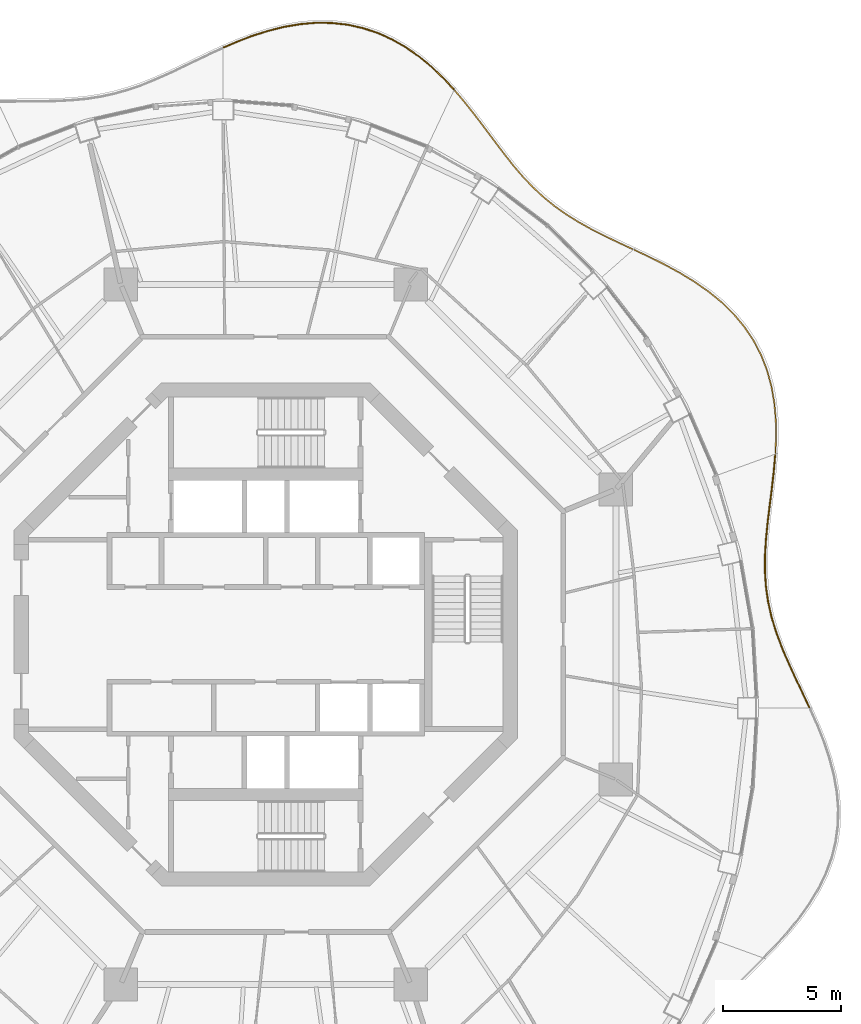
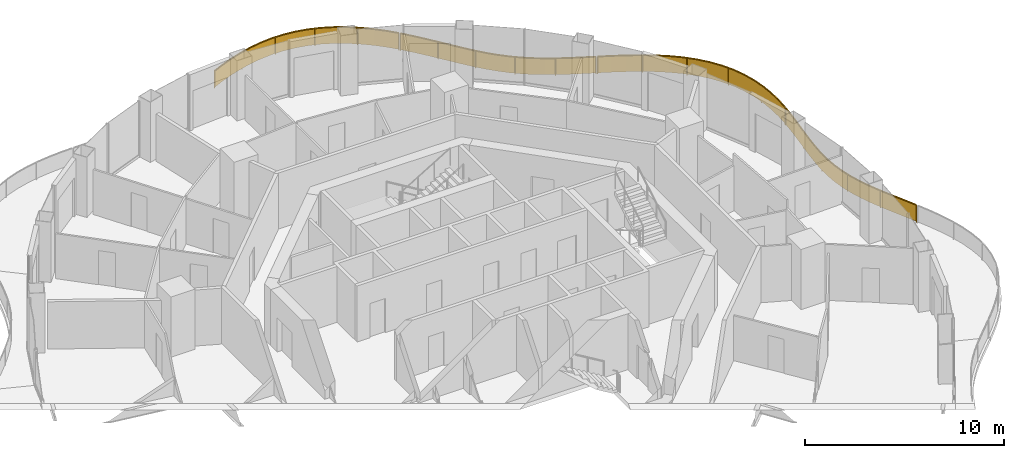
# One storey, part 17 of 17: 4 railings.
"""IFC4 building model written with IfcOpenShell, lengths in metres."""

from ifc_helpers import new_model, si_unit, direction, frame, origin, origin_2d, place, context, subcontext, project, spatial, polyline, rectangle, outline, extrude, material, type_object, element, save


model = new_model("IFC4")

# Units and contexts
model_context = context("Model", 3, precision=1e-05, world=origin(), true_north=direction((0.0, 1.0)))
body_context = subcontext(model_context, "Body", "Model", "MODEL_VIEW")
ifc_project = project(units=[si_unit("LENGTHUNIT", "METRE"), si_unit("AREAUNIT", "SQUARE_METRE"), si_unit("VOLUMEUNIT", "CUBIC_METRE"), si_unit("PLANEANGLEUNIT", "RADIAN"), si_unit("MASSUNIT", "GRAM", prefix="KILO")], contexts=[model_context])

# Site, building, storey
site_placement = place(None, origin())
site = spatial("IfcSite", under=ifc_project, at=site_placement, CompositionType="ELEMENT")
building_placement = place(site_placement, origin())
building = spatial("IfcBuilding", under=site, at=building_placement, Name="Nagisa Residences", CompositionType="ELEMENT")
storey_placement = place(building_placement, frame((0.0, 0.0, 269.60009765625)))
storey = spatial("IfcBuildingStorey", under=building, at=storey_placement, Name="L68", CompositionType="ELEMENT", Elevation=269.60009765625)

# Railings
ifc_material = material(Name="Stainless steel 316", Category="steel")
railing_type = type_object("IfcRailingType", Name="BALCONY GUARD 1100", PredefinedType="BALUSTRADE", material=ifc_material)
railing_1_placement = place(storey_placement, frame((22.95458984375, -3.08349609375, 0.0)))
element("IfcRailing", 1, at=railing_1_placement, inside=storey, type_object=railing_type, Name="guard:L68:bal00-0", PredefinedType="BALUSTRADE", context=body_context, shape_type="SweptSolid", body=[
    extrude(outline(polyline([(-0.31982421875, 0.618408203125), (-0.022705078125, -0.0107421875), (0.022705078125, 0.0107421875), (-0.2744140625, 0.639892578125), (-0.586181640625, 1.297119140625), (-0.882568359375, 1.94287109375), (-1.152099609375, 2.579833984375), (-1.38525390625, 3.2109375), (-1.5732421875, 3.826416015625), (-1.714599609375, 4.458251953125), (-1.806396484375, 5.0966796875), (-1.849609375, 5.745361328125), (-1.848876953125, 6.408203125), (-1.806640625, 7.073486328125), (-1.73876953125, 7.76953125), (-1.653076171875, 8.482666015625), (-1.5615234375, 9.21142578125), (-1.477294921875, 9.95263671875), (-1.415283203125, 10.656494140625), (-1.465087890625, 10.660888671875), (-1.527099609375, 9.95751953125), (-1.611328125, 9.21728515625), (-1.702880859375, 8.489013671875), (-1.78857421875, 7.77490234375), (-1.8564453125, 7.077392578125), (-1.898681640625, 6.40966796875), (-1.89990234375, 5.743896484375), (-1.856201171875, 5.09130859375), (-1.763916015625, 4.448974609375), (-1.62158203125, 3.813720703125), (-1.4326171875, 3.19482421875), (-1.198486328125, 2.561279296875), (-0.928466796875, 1.9228515625), (-0.631591796875, 1.276123046875), (-0.31982421875, 0.618408203125)])), frame((0.0, 0.0, 1.050048828125)), (0.0, 0.0, 1.0), 0.050048828125),
    extrude(outline(polyline([(-0.303466796875, 0.626220703125), (-0.00634765625, -0.0029296875), (0.00634765625, 0.0029296875), (-0.290771484375, 0.632080078125), (-0.6025390625, 1.28955078125), (-0.899169921875, 1.935791015625), (-1.168701171875, 2.5732421875), (-1.40234375, 3.205078125), (-1.590576171875, 3.82177734375), (-1.732421875, 4.454833984375), (-1.82421875, 5.0947265625), (-1.86767578125, 5.744873046875), (-1.86669921875, 6.40869140625), (-1.824462890625, 7.074951171875), (-1.756591796875, 7.771484375), (-1.671142578125, 8.485107421875), (-1.57958984375, 9.213623046875), (-1.4951171875, 9.954345703125), (-1.43310546875, 10.657958984375), (-1.447265625, 10.659423828125), (-1.50927734375, 9.955810546875), (-1.59326171875, 9.215087890625), (-1.684814453125, 8.486572265625), (-1.770751953125, 7.77294921875), (-1.838623046875, 7.075927734375), (-1.880859375, 6.4091796875), (-1.8818359375, 5.744384765625), (-1.83837890625, 5.09326171875), (-1.74609375, 4.452392578125), (-1.604248046875, 3.818359375), (-1.41552734375, 3.20068359375), (-1.181884765625, 2.56787109375), (-0.911865234375, 1.929931640625), (-0.615234375, 1.28369140625), (-0.303466796875, 0.626220703125)])), frame((0.0, 0.0, 0.06005859375)), (0.0, 0.0, 1.0), 0.989990234375),
    extrude(rectangle(XDim=0.0400390625, YDim=0.0400390625, at=origin_2d()), origin(), (0.0, 0.0, 1.0), 1.050048828125),
    extrude(rectangle(XDim=0.0400390625, YDim=0.0400390625, at=origin_2d()), frame((-0.93359375, 1.9990234375, 0.0)), (0.0, 0.0, 1.0), 1.050048828125),
    extrude(rectangle(XDim=0.0400390625, YDim=0.0400390625, at=origin_2d()), frame((-1.655517578125, 4.080078125, 0.0)), (0.0, 0.0, 1.0), 1.050048828125),
    extrude(rectangle(XDim=0.0400390625, YDim=0.0400390625, at=origin_2d()), frame((-1.8740234375, 6.26904296875, 0.0)), (0.0, 0.0, 1.0), 1.050048828125),
    extrude(rectangle(XDim=0.0400390625, YDim=0.0400390625, at=origin_2d()), frame((-1.680419921875, 8.4658203125, 0.0)), (0.0, 0.0, 1.0), 1.050048828125),
    extrude(rectangle(XDim=0.0400390625, YDim=0.0400390625, at=origin_2d()), frame((-1.440185546875, 10.65869140625, 0.0)), (0.0, 0.0, 1.0), 1.050048828125),
])
railing_2_placement = place(storey_placement, frame((21.520751953125, 7.652099609375, 0.0)))
element("IfcRailing", 2, at=railing_2_placement, inside=storey, type_object=railing_type, Name="guard:L68:bal01-0", PredefinedType="BALUSTRADE", context=body_context, shape_type="SweptSolid", body=[
    extrude(outline(polyline([(0.005126953125, 0.683349609375), (-0.02490234375, 0.001220703125), (0.02490234375, -0.001220703125), (0.055419921875, 0.682861328125), (0.043212890625, 1.409423828125), (-0.02001953125, 2.12744140625), (-0.142578125, 2.830078125), (-0.330078125, 3.510986328125), (-0.578369140625, 4.15087890625), (-0.902099609375, 4.77099609375), (-1.292724609375, 5.353759765625), (-1.746337890625, 5.89599609375), (-2.256591796875, 6.396240234375), (-2.807861328125, 6.84326171875), (-3.406005859375, 7.260986328125), (-4.033935546875, 7.643310546875), (-4.680908203125, 7.994384765625), (-5.335693359375, 8.32080078125), (-5.949462890625, 8.6083984375), (-5.970458984375, 8.56298828125), (-5.357666015625, 8.27587890625), (-4.703857421875, 7.949951171875), (-4.058837890625, 7.599853515625), (-3.433349609375, 7.218994140625), (-2.838134765625, 6.80322265625), (-2.289794921875, 6.358642578125), (-1.782958984375, 5.86181640625), (-1.332763671875, 5.323486328125), (-0.945068359375, 4.74560546875), (-0.623779296875, 4.13037109375), (-0.37744140625, 3.495361328125), (-0.19140625, 2.8193359375), (-0.06982421875, 2.12109375), (-0.006591796875, 1.406982421875), (0.005126953125, 0.683349609375)])), frame((0.0, 0.0, 1.050048828125)), (0.0, 0.0, 1.0), 0.050048828125),
    extrude(outline(polyline([(0.023193359375, 0.68310546875), (-0.007080078125, 0.000244140625), (0.007080078125, -0.000244140625), (0.037353515625, 0.68310546875), (0.025390625, 1.408447265625), (-0.0380859375, 2.125244140625), (-0.16015625, 2.826171875), (-0.34716796875, 3.50537109375), (-0.5947265625, 4.1435546875), (-0.91748046875, 4.761962890625), (-1.30712890625, 5.3427734375), (-1.759521484375, 5.883544921875), (-2.2685546875, 6.382568359375), (-2.81884765625, 6.828857421875), (-3.415771484375, 7.245849609375), (-4.04296875, 7.627685546875), (-4.689208984375, 7.978271484375), (-5.34375, 8.3046875), (-5.95703125, 8.592041015625), (-5.962890625, 8.579345703125), (-5.349609375, 8.2919921875), (-4.695556640625, 7.966064453125), (-4.0498046875, 7.615478515625), (-3.423583984375, 7.234130859375), (-2.8271484375, 6.817626953125), (-2.27783203125, 6.372314453125), (-1.769775390625, 5.874267578125), (-1.318359375, 5.33447265625), (-0.9296875, 4.754638671875), (-0.607421875, 4.1376953125), (-0.3603515625, 3.5009765625), (-0.173828125, 2.8232421875), (-0.0517578125, 2.123291015625), (0.01123046875, 1.407958984375), (0.023193359375, 0.68310546875)])), frame((0.0, 0.0, 0.06005859375)), (0.0, 0.0, 1.0), 0.989990234375),
    extrude(rectangle(XDim=0.0400390625, YDim=0.0400390625, at=origin_2d()), origin(), (0.0, 0.0, 1.0), 1.050048828125),
    extrude(rectangle(XDim=0.0400390625, YDim=0.0400390625, at=origin_2d()), frame((-0.0693359375, 2.2646484375, 0.0)), (0.0, 0.0, 1.0), 1.050048828125),
    extrude(rectangle(XDim=0.0400390625, YDim=0.0400390625, at=origin_2d()), frame((-0.74658203125, 4.419189453125, 0.0)), (0.0, 0.0, 1.0), 1.050048828125),
    extrude(rectangle(XDim=0.0400390625, YDim=0.0400390625, at=origin_2d()), frame((-2.110595703125, 6.218017578125, 0.0)), (0.0, 0.0, 1.0), 1.050048828125),
    extrude(rectangle(XDim=0.0400390625, YDim=0.0400390625, at=origin_2d()), frame((-3.93798828125, 7.5556640625, 0.0)), (0.0, 0.0, 1.0), 1.050048828125),
    extrude(rectangle(XDim=0.0400390625, YDim=0.0400390625, at=origin_2d()), frame((-5.9599609375, 8.585693359375, 0.0)), (0.0, 0.0, 1.0), 1.050048828125),
])
railing_3_placement = place(storey_placement, frame((15.491455078125, 16.268310546875, 0.0)))
element("IfcRailing", 3, at=railing_3_placement, inside=storey, type_object=railing_type, Name="guard:L68:bal02-0", PredefinedType="BALUSTRADE", context=body_context, shape_type="SweptSolid", body=[
    extrude(outline(polyline([(-0.5830078125, 0.242431640625), (-0.010498046875, -0.022705078125), (0.010498046875, 0.022705078125), (-0.5615234375, 0.287841796875), (-1.1572265625, 0.57275390625), (-1.730712890625, 0.8642578125), (-2.2783203125, 1.16943359375), (-2.79833984375, 1.494384765625), (-3.278076171875, 1.833984375), (-3.743408203125, 2.212890625), (-4.18505859375, 2.6240234375), (-4.607421875, 3.067138671875), (-5.015869140625, 3.54150390625), (-5.40283203125, 4.035400390625), (-5.802734375, 4.561767578125), (-6.20849609375, 5.10498046875), (-6.626708984375, 5.6572265625), (-7.063232421875, 6.208984375), (-7.490966796875, 6.71630859375), (-7.529052734375, 6.68408203125), (-7.101806640625, 6.17724609375), (-6.666259765625, 5.62646484375), (-6.24853515625, 5.07470703125), (-5.8427734375, 4.531494140625), (-5.4423828125, 4.004638671875), (-5.054443359375, 3.509765625), (-4.64453125, 3.033447265625), (-4.22021484375, 2.58837890625), (-3.776123046875, 2.17529296875), (-3.308349609375, 1.7939453125), (-2.826171875, 1.452880859375), (-2.3037109375, 1.12646484375), (-1.754150390625, 0.8203125), (-1.17919921875, 0.52783203125), (-0.5830078125, 0.242431640625)])), frame((0.0, 0.0, 1.050048828125)), (0.0, 0.0, 1.0), 0.050048828125),
    extrude(outline(polyline([(-0.5751953125, 0.2587890625), (-0.0029296875, -0.00634765625), (0.0029296875, 0.00634765625), (-0.5693359375, 0.271484375), (-1.1650390625, 0.556640625), (-1.7392578125, 0.848388671875), (-2.287353515625, 1.154052734375), (-2.808349609375, 1.4794921875), (-3.2890625, 1.819580078125), (-3.755126953125, 2.199462890625), (-4.19775390625, 2.611083984375), (-4.620849609375, 3.054931640625), (-5.02978515625, 3.530029296875), (-5.4169921875, 4.0244140625), (-5.817138671875, 4.55078125), (-6.222900390625, 5.093994140625), (-6.640869140625, 5.646240234375), (-7.0771484375, 6.197509765625), (-7.504638671875, 6.70458984375), (-7.515380859375, 6.69580078125), (-7.087890625, 6.188720703125), (-6.652099609375, 5.637451171875), (-6.234130859375, 5.085693359375), (-5.828369140625, 4.54248046875), (-5.42822265625, 4.015625), (-5.04052734375, 3.521240234375), (-4.631103515625, 3.045654296875), (-4.20751953125, 2.601318359375), (-3.764404296875, 2.188720703125), (-3.29736328125, 1.808349609375), (-2.816162109375, 1.4677734375), (-2.294677734375, 1.141845703125), (-1.74560546875, 0.836181640625), (-1.17138671875, 0.5439453125), (-0.5751953125, 0.2587890625)])), frame((0.0, 0.0, 0.06005859375)), (0.0, 0.0, 1.0), 0.989990234375),
    extrude(rectangle(XDim=0.0400390625, YDim=0.0400390625, at=origin_2d()), origin(), (0.0, 0.0, 1.0), 1.050048828125),
    extrude(rectangle(XDim=0.0400390625, YDim=0.0400390625, at=origin_2d()), frame((-1.8408203125, 0.897216796875, 0.0)), (0.0, 0.0, 1.0), 1.050048828125),
    extrude(rectangle(XDim=0.0400390625, YDim=0.0400390625, at=origin_2d()), frame((-3.54833984375, 2.021728515625, 0.0)), (0.0, 0.0, 1.0), 1.050048828125),
    extrude(rectangle(XDim=0.0400390625, YDim=0.0400390625, at=origin_2d()), frame((-4.9892578125, 3.472412109375, 0.0)), (0.0, 0.0, 1.0), 1.050048828125),
    extrude(rectangle(XDim=0.0400390625, YDim=0.0400390625, at=origin_2d()), frame((-6.23486328125, 5.09814453125, 0.0)), (0.0, 0.0, 1.0), 1.050048828125),
    extrude(rectangle(XDim=0.0400390625, YDim=0.0400390625, at=origin_2d()), frame((-7.510009765625, 6.7001953125, 0.0)), (0.0, 0.0, 1.0), 1.050048828125),
])
railing_4_placement = place(storey_placement, frame((7.93115234375, 23.02685546875, 0.0)))
element("IfcRailing", 4, at=railing_4_placement, inside=storey, type_object=railing_type, Name="guard:L68:bal03-0", PredefinedType="BALUSTRADE", context=body_context, shape_type="SweptSolid", body=[
    extrude(outline(polyline([(-0.45263671875, 0.45166015625), (-0.018310546875, -0.01708984375), (0.018310546875, 0.01708984375), (-0.4169921875, 0.48681640625), (-0.9150390625, 0.960205078125), (-1.4423828125, 1.3955078125), (-1.99951171875, 1.7841796875), (-2.583984375, 2.118408203125), (-3.1796875, 2.388671875), (-3.813720703125, 2.598876953125), (-4.466064453125, 2.741943359375), (-5.13232421875, 2.817138671875), (-5.806884765625, 2.825927734375), (-6.468994140625, 2.7685546875), (-7.142822265625, 2.655029296875), (-7.8125, 2.490234375), (-8.47216796875, 2.281494140625), (-9.118408203125, 2.038330078125), (-9.7060546875, 1.78564453125), (-9.6865234375, 1.73974609375), (-9.099853515625, 1.991943359375), (-8.45556640625, 2.234130859375), (-7.798828125, 2.44189453125), (-7.132568359375, 2.606201171875), (-6.462646484375, 2.71875), (-5.804931640625, 2.775634765625), (-5.13525390625, 2.767333984375), (-4.474365234375, 2.692626953125), (-3.826904296875, 2.550537109375), (-3.19775390625, 2.341796875), (-2.60693359375, 2.073974609375), (-2.0263671875, 1.74169921875), (-1.47265625, 1.35546875), (-0.9482421875, 0.922607421875), (-0.45263671875, 0.45166015625)])), frame((0.0, 0.0, 1.050048828125)), (0.0, 0.0, 1.0), 0.050048828125),
    extrude(outline(polyline([(-0.439697265625, 0.46435546875), (-0.005126953125, -0.004638671875), (0.005126953125, 0.004638671875), (-0.429931640625, 0.47412109375), (-0.927001953125, 0.946533203125), (-1.453369140625, 1.381103515625), (-2.00927734375, 1.768798828125), (-2.59228515625, 2.1025390625), (-3.186279296875, 2.371826171875), (-3.818359375, 2.58154296875), (-4.468994140625, 2.72412109375), (-5.13330078125, 2.79931640625), (-5.80615234375, 2.807861328125), (-6.466796875, 2.75048828125), (-7.13916015625, 2.637451171875), (-7.8076171875, 2.472900390625), (-8.466064453125, 2.264404296875), (-9.11181640625, 2.021728515625), (-9.698974609375, 1.76904296875), (-9.693603515625, 1.75634765625), (-9.1064453125, 2.008544921875), (-8.461669921875, 2.251220703125), (-7.8037109375, 2.459228515625), (-7.13623046875, 2.623779296875), (-6.46484375, 2.73681640625), (-5.8056640625, 2.793701171875), (-5.13427734375, 2.78515625), (-4.471435546875, 2.71044921875), (-3.822265625, 2.56787109375), (-3.191162109375, 2.358642578125), (-2.5986328125, 2.08984375), (-2.0166015625, 1.757080078125), (-1.461669921875, 1.369873046875), (-0.936279296875, 0.936279296875), (-0.439697265625, 0.46435546875)])), frame((0.0, 0.0, 0.06005859375)), (0.0, 0.0, 1.0), 0.989990234375),
    extrude(rectangle(XDim=0.0400390625, YDim=0.0400390625, at=origin_2d()), origin(), (0.0, 0.0, 1.0), 1.050048828125),
    extrude(rectangle(XDim=0.0400390625, YDim=0.0400390625, at=origin_2d()), frame((-1.5712890625, 1.454833984375, 0.0)), (0.0, 0.0, 1.0), 1.050048828125),
    extrude(rectangle(XDim=0.0400390625, YDim=0.0400390625, at=origin_2d()), frame((-3.458740234375, 2.454833984375, 0.0)), (0.0, 0.0, 1.0), 1.050048828125),
    extrude(rectangle(XDim=0.0400390625, YDim=0.0400390625, at=origin_2d()), frame((-5.565185546875, 2.797607421875, 0.0)), (0.0, 0.0, 1.0), 1.050048828125),
    extrude(rectangle(XDim=0.0400390625, YDim=0.0400390625, at=origin_2d()), frame((-7.6826171875, 2.496337890625, 0.0)), (0.0, 0.0, 1.0), 1.050048828125),
    extrude(rectangle(XDim=0.0400390625, YDim=0.0400390625, at=origin_2d()), frame((-9.6962890625, 1.7626953125, 0.0)), (0.0, 0.0, 1.0), 1.050048828125),
])

save(model, "model.ifc")
